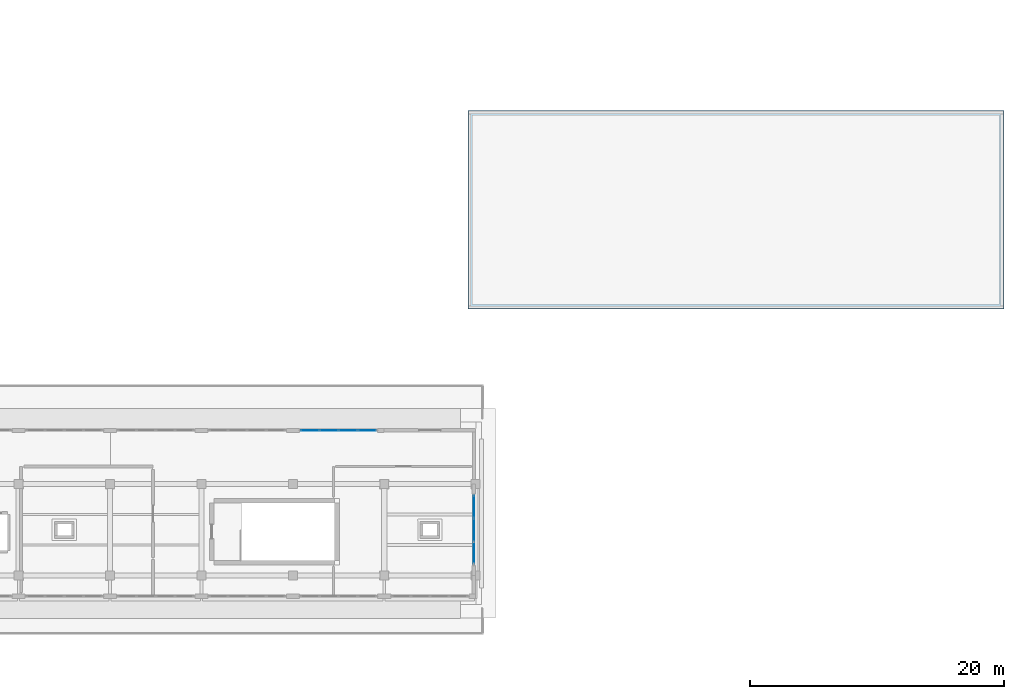
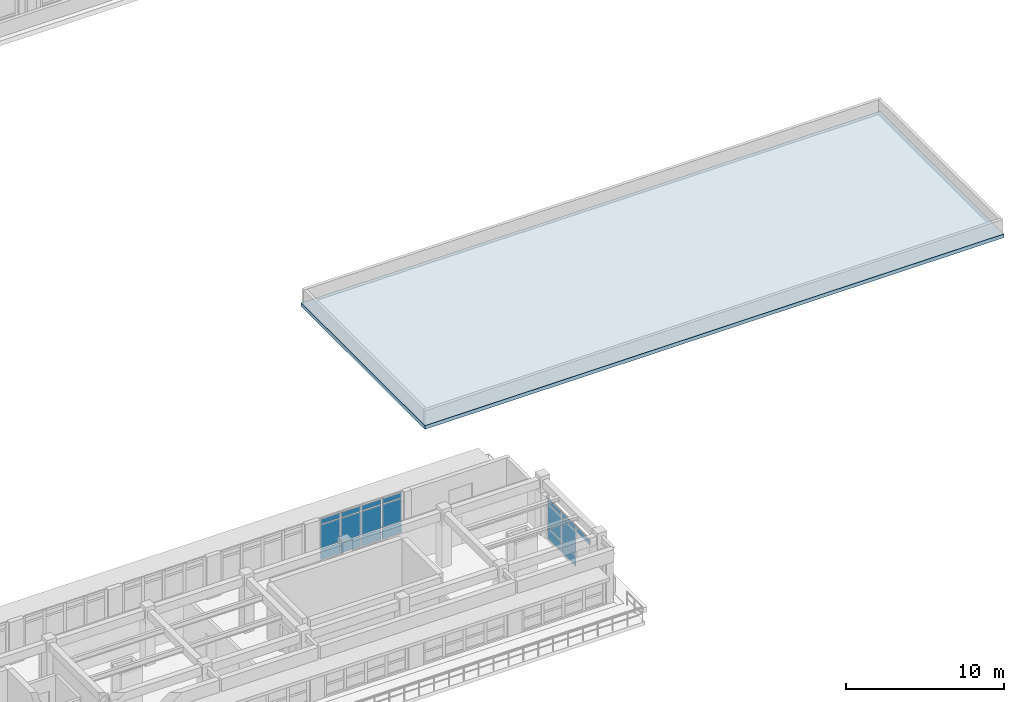
# One storey, part 37 of 55: 19 plates, 1 slab, 2 elements without a shape of their own.
"""IFC4 building model written with IfcOpenShell, lengths in metres."""

from ifc_helpers import new_model, si_unit, direction, frame, origin, origin_2d, place, context, subcontext, project, spatial, polyline, rectangle, outline, extrude, material, layer, layer_set, type_object, element, aggregate, save


model = new_model("IFC4")

# Units and contexts
model_context = context("Model", 3, precision=1e-05, world=origin(), true_north=direction((0.0, 1.0)))
body_context = subcontext(model_context, "Body", "Model", "MODEL_VIEW")
ifc_project = project(units=[si_unit("LENGTHUNIT", "METRE"), si_unit("AREAUNIT", "SQUARE_METRE"), si_unit("VOLUMEUNIT", "CUBIC_METRE"), si_unit("PLANEANGLEUNIT", "RADIAN"), si_unit("MASSUNIT", "GRAM", prefix="KILO")], contexts=[model_context])

# Site, building, storey
site_placement = place(None, origin())
site = spatial("IfcSite", under=ifc_project, at=site_placement, CompositionType="ELEMENT")
building_placement = place(site_placement, origin())
building = spatial("IfcBuilding", under=site, at=building_placement, Name="Solenvale Faculty of Natural Sciences", CompositionType="ELEMENT")
storey_placement = place(building_placement, frame((0.0, 0.0, 22.5)))
storey = spatial("IfcBuildingStorey", under=building, at=storey_placement, Name="L05", CompositionType="ELEMENT", Elevation=22.5)

# Curtain wall, plates
ifc_material_1 = material(Name="Anodised bronze aluminium", Category="aluminium")
ifc_layer_1 = layer(ifc_material_1, 0.179931640625)
ifc_layer_set_1 = layer_set([ifc_layer_1], Name="Anodised bronze aluminium")
curtain_wall_type_1 = type_object("IfcCurtainWallType", Name="CW-TWR-MOD", PredefinedType="USERDEFINED", material=ifc_layer_set_1)
curtain_wall_1_placement = place(storey_placement, origin())
curtain_wall_1 = element("IfcCurtainWall", 1, at=curtain_wall_1_placement, inside=storey, type_object=curtain_wall_type_1, Name="L05 Curtain Wall CW-L05-P1-E1-B2", ObjectType="UNITISED CURTAIN WALL", PredefinedType="USERDEFINED")
ifc_material_2 = material(Name="Triple low-E insulated glass", Category="glass")
ifc_layer_2 = layer(ifc_material_2, 0.031982421875)
ifc_layer_set_2 = layer_set([ifc_layer_2], Name="Triple low-E insulated glass")
plate_type_1 = type_object("IfcPlateType", Name="CWP-PNL-32", PredefinedType="CURTAIN_PANEL", material=ifc_layer_set_2)
plate_1_placement = place(storey_placement, frame((115.0576171875, 23.385498046875, 2.79736328125), z_axis=(0.0, 0.0, 1.0), x_axis=(0.0, 1.0, 0.0)))
plate_1 = element("IfcPlate", 2, at=plate_1_placement, type_object=plate_type_1, Name="CW-04 panel 1.3", PredefinedType="CURTAIN_PANEL", context=body_context, shape_type="SweptSolid", body=[
    extrude(rectangle(XDim=1.720947265625, YDim=0.031982421875, at=origin_2d()), origin(), (0.0, 0.0, 1.0), 0.387451171875),
])
plate_2_placement = place(storey_placement, frame((115.0576171875, 25.199951171875, 0.074951171875), z_axis=(0.0, 0.0, 1.0), x_axis=(0.0, 1.0, 0.0)))
plate_2 = element("IfcPlate", 3, at=plate_2_placement, type_object=plate_type_1, Name="CW-04 panel 2.1", PredefinedType="CURTAIN_PANEL", context=body_context, shape_type="SweptSolid", body=[
    extrude(rectangle(XDim=1.75830078125, YDim=0.031982421875, at=origin_2d()), origin(), (0.0, 0.0, 1.0), 0.78759765625),
])
plate_3_placement = place(storey_placement, frame((115.0576171875, 25.199951171875, 0.9375), z_axis=(0.0, 0.0, 1.0), x_axis=(0.0, 1.0, 0.0)))
plate_3 = element("IfcPlate", 4, at=plate_3_placement, type_object=plate_type_1, Name="CW-04 panel 2.2", PredefinedType="CURTAIN_PANEL", context=body_context, shape_type="SweptSolid", body=[
    extrude(rectangle(XDim=1.75830078125, YDim=0.031982421875, at=origin_2d()), origin(), (0.0, 0.0, 1.0), 1.784912109375),
])
plate_4_placement = place(storey_placement, frame((115.0576171875, 25.199951171875, 2.79736328125), z_axis=(0.0, 0.0, 1.0), x_axis=(0.0, 1.0, 0.0)))
plate_4 = element("IfcPlate", 5, at=plate_4_placement, type_object=plate_type_1, Name="CW-04 panel 2.3", PredefinedType="CURTAIN_PANEL", context=body_context, shape_type="SweptSolid", body=[
    extrude(rectangle(XDim=1.75830078125, YDim=0.031982421875, at=origin_2d()), origin(), (0.0, 0.0, 1.0), 0.387451171875),
])
plate_5_placement = place(storey_placement, frame((115.0576171875, 27.0146484375, 0.074951171875), z_axis=(0.0, 0.0, 1.0), x_axis=(0.0, 1.0, 0.0)))
plate_5 = element("IfcPlate", 6, at=plate_5_placement, type_object=plate_type_1, Name="CW-04 panel 3.1", PredefinedType="CURTAIN_PANEL", context=body_context, shape_type="SweptSolid", body=[
    extrude(rectangle(XDim=1.720947265625, YDim=0.031982421875, at=origin_2d()), origin(), (0.0, 0.0, 1.0), 0.78759765625),
])
plate_6_placement = place(storey_placement, frame((115.0576171875, 27.0146484375, 0.9375), z_axis=(0.0, 0.0, 1.0), x_axis=(0.0, 1.0, 0.0)))
plate_6 = element("IfcPlate", 7, at=plate_6_placement, type_object=plate_type_1, Name="CW-04 panel 3.2", PredefinedType="CURTAIN_PANEL", context=body_context, shape_type="SweptSolid", body=[
    extrude(rectangle(XDim=1.720947265625, YDim=0.031982421875, at=origin_2d()), origin(), (0.0, 0.0, 1.0), 1.784912109375),
])
plate_7_placement = place(storey_placement, frame((115.0576171875, 27.0146484375, 2.79736328125), z_axis=(0.0, 0.0, 1.0), x_axis=(0.0, 1.0, 0.0)))
plate_7 = element("IfcPlate", 8, at=plate_7_placement, type_object=plate_type_1, Name="CW-04 panel 3.3", PredefinedType="CURTAIN_PANEL", context=body_context, shape_type="SweptSolid", body=[
    extrude(rectangle(XDim=1.720947265625, YDim=0.031982421875, at=origin_2d()), origin(), (0.0, 0.0, 1.0), 0.387451171875),
])
aggregate(curtain_wall_1, [plate_1, plate_2, plate_3, plate_4, plate_5, plate_6, plate_7])

ifc_layer_3 = layer(ifc_material_1, 0.18994140625)
ifc_layer_set_3 = layer_set([ifc_layer_3], Name="Anodised bronze aluminium")
curtain_wall_type_2 = type_object("IfcCurtainWallType", Name="CW-TRAY-REC", PredefinedType="USERDEFINED", material=ifc_layer_set_3)
curtain_wall_2_placement = place(storey_placement, origin())
curtain_wall_2 = element("IfcCurtainWall", 9, at=curtain_wall_2_placement, inside=storey, type_object=curtain_wall_type_2, Name="L05 Curtain Wall CW-L05-P1-E2-B2", ObjectType="UNITISED CURTAIN WALL", PredefinedType="USERDEFINED")
ifc_layer_4 = layer(ifc_material_2, 0.035888671875)
ifc_layer_set_4 = layer_set([ifc_layer_4], Name="Triple low-E insulated glass")
plate_type_2 = type_object("IfcPlateType", Name="CWP-PNL-36", PredefinedType="CURTAIN_PANEL", material=ifc_layer_set_4)
plate_8_placement = place(storey_placement, frame((106.646240234375, 33.03759765625, 0.074951171875), z_axis=(0.0, 0.0, 1.0), x_axis=(-1.0, 0.0, 0.0)))
plate_8 = element("IfcPlate", 10, at=plate_8_placement, type_object=plate_type_2, Name="CW-02 panel 1.1", PredefinedType="CURTAIN_PANEL", context=body_context, shape_type="SweptSolid", body=[
    extrude(rectangle(XDim=1.3974609375, YDim=0.035888671875, at=origin_2d()), origin(), (0.0, 0.0, 1.0), 0.78759765625),
])
plate_9_placement = place(storey_placement, frame((106.646240234375, 33.03759765625, 0.9375), z_axis=(0.0, 0.0, 1.0), x_axis=(-1.0, 0.0, 0.0)))
plate_9 = element("IfcPlate", 11, at=plate_9_placement, type_object=plate_type_2, Name="CW-02 panel 1.2", PredefinedType="CURTAIN_PANEL", context=body_context, shape_type="SweptSolid", body=[
    extrude(rectangle(XDim=1.3974609375, YDim=0.035888671875, at=origin_2d()), origin(), (0.0, 0.0, 1.0), 1.784912109375),
])
plate_10_placement = place(storey_placement, frame((106.646240234375, 33.03759765625, 2.79736328125), z_axis=(0.0, 0.0, 1.0), x_axis=(-1.0, 0.0, 0.0)))
plate_10 = element("IfcPlate", 12, at=plate_10_placement, type_object=plate_type_2, Name="CW-02 panel 1.3", PredefinedType="CURTAIN_PANEL", context=body_context, shape_type="SweptSolid", body=[
    extrude(rectangle(XDim=1.3974609375, YDim=0.035888671875, at=origin_2d()), origin(), (0.0, 0.0, 1.0), 0.387451171875),
])
plate_11_placement = place(storey_placement, frame((105.155029296875, 33.03759765625, 0.074951171875), z_axis=(0.0, 0.0, 1.0), x_axis=(-1.0, 0.0, 0.0)))
plate_11 = element("IfcPlate", 13, at=plate_11_placement, type_object=plate_type_2, Name="CW-02 panel 2.1", PredefinedType="CURTAIN_PANEL", context=body_context, shape_type="SweptSolid", body=[
    extrude(rectangle(XDim=1.43505859375, YDim=0.035888671875, at=origin_2d()), origin(), (0.0, 0.0, 1.0), 0.78759765625),
])
plate_12_placement = place(storey_placement, frame((105.155029296875, 33.03759765625, 0.9375), z_axis=(0.0, 0.0, 1.0), x_axis=(-1.0, 0.0, 0.0)))
plate_12 = element("IfcPlate", 14, at=plate_12_placement, type_object=plate_type_2, Name="CW-02 panel 2.2", PredefinedType="CURTAIN_PANEL", context=body_context, shape_type="SweptSolid", body=[
    extrude(rectangle(XDim=1.43505859375, YDim=0.035888671875, at=origin_2d()), origin(), (0.0, 0.0, 1.0), 1.784912109375),
])
plate_13_placement = place(storey_placement, frame((105.155029296875, 33.03759765625, 2.79736328125), z_axis=(0.0, 0.0, 1.0), x_axis=(-1.0, 0.0, 0.0)))
plate_13 = element("IfcPlate", 15, at=plate_13_placement, type_object=plate_type_2, Name="CW-02 panel 2.3", PredefinedType="CURTAIN_PANEL", context=body_context, shape_type="SweptSolid", body=[
    extrude(rectangle(XDim=1.43505859375, YDim=0.035888671875, at=origin_2d()), origin(), (0.0, 0.0, 1.0), 0.387451171875),
])
plate_14_placement = place(storey_placement, frame((103.64501953125, 33.03759765625, 0.074951171875), z_axis=(0.0, 0.0, 1.0), x_axis=(-1.0, 0.0, 0.0)))
plate_14 = element("IfcPlate", 16, at=plate_14_placement, type_object=plate_type_2, Name="CW-02 panel 3.1", PredefinedType="CURTAIN_PANEL", context=body_context, shape_type="SweptSolid", body=[
    extrude(rectangle(XDim=1.43505859375, YDim=0.035888671875, at=origin_2d()), origin(), (0.0, 0.0, 1.0), 0.78759765625),
])
plate_15_placement = place(storey_placement, frame((103.64501953125, 33.03759765625, 0.9375), z_axis=(0.0, 0.0, 1.0), x_axis=(-1.0, 0.0, 0.0)))
plate_15 = element("IfcPlate", 17, at=plate_15_placement, type_object=plate_type_2, Name="CW-02 panel 3.2", PredefinedType="CURTAIN_PANEL", context=body_context, shape_type="SweptSolid", body=[
    extrude(rectangle(XDim=1.43505859375, YDim=0.035888671875, at=origin_2d()), origin(), (0.0, 0.0, 1.0), 1.784912109375),
])
plate_16_placement = place(storey_placement, frame((103.64501953125, 33.03759765625, 2.79736328125), z_axis=(0.0, 0.0, 1.0), x_axis=(-1.0, 0.0, 0.0)))
plate_16 = element("IfcPlate", 18, at=plate_16_placement, type_object=plate_type_2, Name="CW-02 panel 3.3", PredefinedType="CURTAIN_PANEL", context=body_context, shape_type="SweptSolid", body=[
    extrude(rectangle(XDim=1.43505859375, YDim=0.035888671875, at=origin_2d()), origin(), (0.0, 0.0, 1.0), 0.387451171875),
])
plate_17_placement = place(storey_placement, frame((102.15380859375, 33.03759765625, 0.074951171875), z_axis=(0.0, 0.0, 1.0), x_axis=(-1.0, 0.0, 0.0)))
plate_17 = element("IfcPlate", 19, at=plate_17_placement, type_object=plate_type_2, Name="CW-02 panel 4.1", PredefinedType="CURTAIN_PANEL", context=body_context, shape_type="SweptSolid", body=[
    extrude(rectangle(XDim=1.3974609375, YDim=0.035888671875, at=origin_2d()), origin(), (0.0, 0.0, 1.0), 0.78759765625),
])
plate_18_placement = place(storey_placement, frame((102.15380859375, 33.03759765625, 0.9375), z_axis=(0.0, 0.0, 1.0), x_axis=(-1.0, 0.0, 0.0)))
plate_18 = element("IfcPlate", 20, at=plate_18_placement, type_object=plate_type_2, Name="CW-02 panel 4.2", PredefinedType="CURTAIN_PANEL", context=body_context, shape_type="SweptSolid", body=[
    extrude(rectangle(XDim=1.3974609375, YDim=0.035888671875, at=origin_2d()), origin(), (0.0, 0.0, 1.0), 1.784912109375),
])
plate_19_placement = place(storey_placement, frame((102.15380859375, 33.03759765625, 2.79736328125), z_axis=(0.0, 0.0, 1.0), x_axis=(-1.0, 0.0, 0.0)))
plate_19 = element("IfcPlate", 21, at=plate_19_placement, type_object=plate_type_2, Name="CW-02 panel 4.3", PredefinedType="CURTAIN_PANEL", context=body_context, shape_type="SweptSolid", body=[
    extrude(rectangle(XDim=1.3974609375, YDim=0.035888671875, at=origin_2d()), origin(), (0.0, 0.0, 1.0), 0.387451171875),
])
aggregate(curtain_wall_2, [plate_8, plate_9, plate_10, plate_11, plate_12, plate_13, plate_14, plate_15, plate_16, plate_17, plate_18, plate_19])

# Slab
ifc_material_3 = material(Name="Concrete 40 MPa", Category="concrete")
ifc_layer_5 = layer(ifc_material_3, 0.280029296875)
ifc_layer_set_5 = layer_set([ifc_layer_5], Name="Concrete 40 MPa")
slab_type = type_object("IfcSlabType", Name="SL-ROOF-280", PredefinedType="ROOF", material=ifc_layer_set_5)
slab_placement = place(storey_placement, frame((0.0, 0.0, -0.280029296875)))
element("IfcSlab", 22, at=slab_placement, inside=storey, type_object=slab_type, Name="L05 Flat Roof Deck 1", PredefinedType="ROOF", context=body_context, shape_type="SweptSolid", body=[
    extrude(outline(polyline([(114.580078125, 58.219970703125), (156.820068359375, 58.219970703125), (156.820068359375, 42.580078125), (114.580078125, 42.580078125), (114.580078125, 58.219970703125)])), origin(), (0.0, 0.0, 1.0), 0.280029296875),
])

save(model, "model.ifc")
